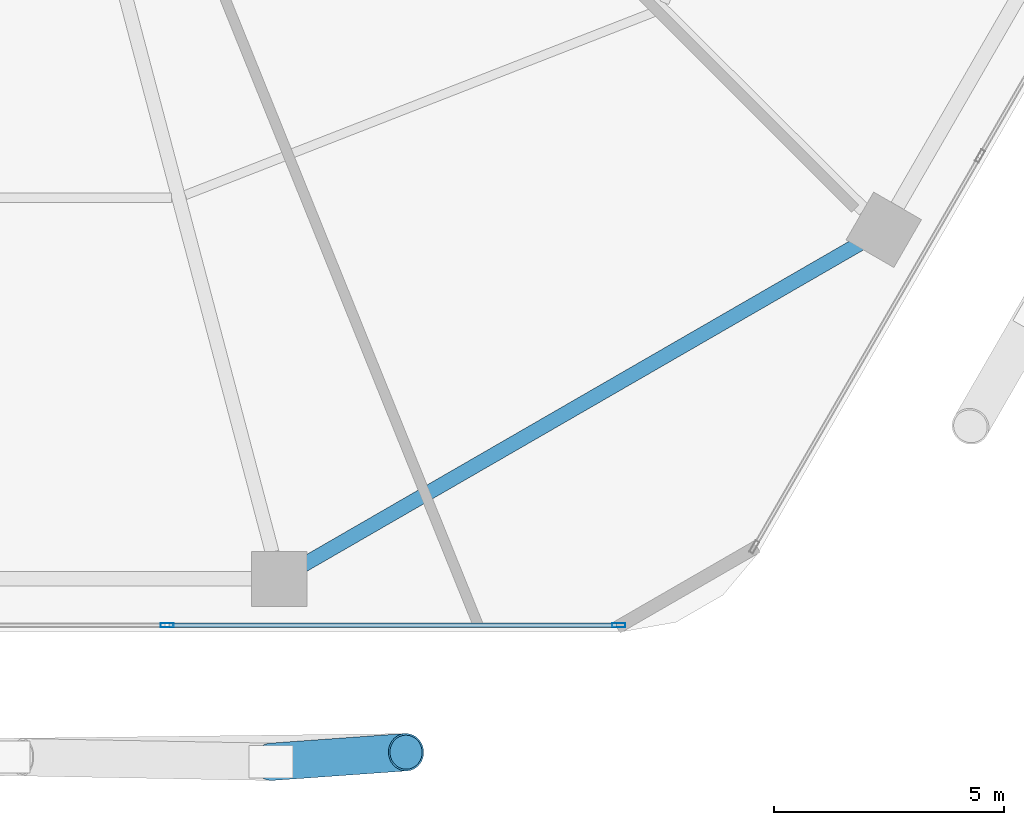
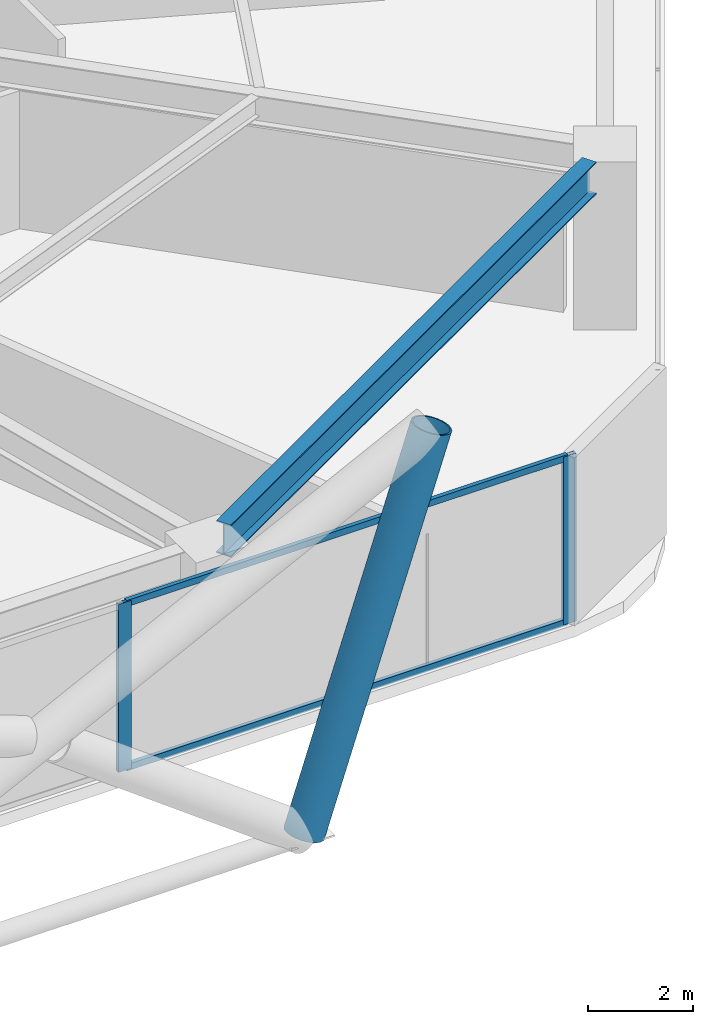
# One storey, part 7 of 28: 5 members, 1 beam, 1 element without a shape of its own.
"""IFC4 building model written with IfcOpenShell, lengths in metres."""

from ifc_helpers import new_model, si_unit, direction, frame, origin, origin_2d, place, context, subcontext, project, spatial, hollow_rectangle, hollow_circle, i_section, extrude, material, material_profile, profile_set, type_object, element, aggregate, save


model = new_model("IFC4")

# Units and contexts
model_context = context("Model", 3, precision=1e-05, world=origin(), true_north=direction((0.0, 1.0)))
body_context = subcontext(model_context, "Body", "Model", "MODEL_VIEW")
ifc_project = project(units=[si_unit("LENGTHUNIT", "METRE"), si_unit("AREAUNIT", "SQUARE_METRE"), si_unit("VOLUMEUNIT", "CUBIC_METRE"), si_unit("PLANEANGLEUNIT", "RADIAN"), si_unit("MASSUNIT", "GRAM", prefix="KILO")], contexts=[model_context])

# Site, building, storey
site_placement = place(None, origin())
site = spatial("IfcSite", under=ifc_project, at=site_placement, CompositionType="ELEMENT")
building_placement = place(site_placement, origin())
building = spatial("IfcBuilding", under=site, at=building_placement, Name="Zuhravey Tower", CompositionType="ELEMENT")
storey_placement = place(building_placement, frame((0.0, 0.0, 66.60009765625)))
storey = spatial("IfcBuildingStorey", under=building, at=storey_placement, Name="L16", CompositionType="ELEMENT", Elevation=66.60009765625)

# Curtain wall, members
ifc_material_1 = material(Name="Thermally broken anodised aluminium", Category="aluminium")
curtain_wall_type = type_object("IfcCurtainWallType", Name="School Low-E Unitised Curtain Wall CW1", PredefinedType="NOTDEFINED", material=ifc_material_1)
curtain_wall_placement = place(storey_placement, origin())
curtain_wall = element("IfcCurtainWall", 1, at=curtain_wall_placement, inside=storey, type_object=curtain_wall_type, Name="L16 CW1 CW-L16-F5-1", PredefinedType="NOTDEFINED")
ifc_material_2 = material(Name="Anodised aluminium", Category="aluminium")
ifc_material_profile_1 = material_profile(ifc_material_2, hollow_rectangle(XDim=0.090087890625, YDim=0.284912109375, WallThickness=0.0048828125, at=origin_2d()), Name="ALU-RHS-90x285x5")
ifc_profile_set_1 = profile_set([ifc_material_profile_1], Name="Anodised aluminium")
member_type_1 = type_object("IfcMemberType", Name="Curtain-Wall Mullion 90x180", PredefinedType="MULLION", material=ifc_profile_set_1)
member_1_placement = place(storey_placement, frame((50.75439453125, 3.04150390625, 0.0), z_axis=(0.0, 0.0, 1.0), x_axis=(0.0, -1.0, 0.0)))
member_1 = element("IfcMember", 2, at=member_1_placement, type_object=member_type_1, Name="CW1 mullion 1", PredefinedType="MULLION", context=body_context, shape_type="SweptSolid", body=[
    extrude(hollow_rectangle(XDim=0.090087890625, YDim=0.284912109375, WallThickness=0.0048828125, at=origin_2d()), origin(), (0.0, 0.0, 1.0), 3.919921875),
])
member_2_placement = place(storey_placement, frame((40.93310546875, 3.04150390625, 0.0), z_axis=(0.0, 0.0, 1.0), x_axis=(0.0, -1.0, 0.0)))
member_2 = element("IfcMember", 3, at=member_2_placement, type_object=member_type_1, Name="CW1 mullion 2", PredefinedType="MULLION", context=body_context, shape_type="SweptSolid", body=[
    extrude(hollow_rectangle(XDim=0.090087890625, YDim=0.284912109375, WallThickness=0.0048828125, at=origin_2d()), origin(), (0.0, 0.0, 1.0), 3.919921875),
])
ifc_material_profile_2 = material_profile(ifc_material_2, hollow_rectangle(XDim=0.090087890625, YDim=0.14990234375, WallThickness=0.0048828125, at=origin_2d()), Name="ALU-RHS-90x150x5")
ifc_profile_set_2 = profile_set([ifc_material_profile_2], Name="Anodised aluminium")
member_type_2 = type_object("IfcMemberType", Name="Curtain-Wall Transom 90x150", PredefinedType="USERDEFINED", material=ifc_profile_set_2)
member_3_placement = place(storey_placement, frame((50.70947265625, 3.04150390625, 0.044921875), z_axis=(-1.0, 0.0, 0.0), x_axis=(0.0, -1.0, 0.0)))
member_3 = element("IfcMember", 4, at=member_3_placement, type_object=member_type_2, Name="CW1 transom 1.1", ObjectType="TRANSOM", PredefinedType="USERDEFINED", context=body_context, shape_type="SweptSolid", body=[
    extrude(hollow_rectangle(XDim=0.090087890625, YDim=0.14990234375, WallThickness=0.0048828125, at=origin_2d()), origin(), (0.0, 0.0, 1.0), 9.731201171875),
])
member_4_placement = place(storey_placement, frame((50.70947265625, 3.04150390625, 3.875), z_axis=(-1.0, 0.0, 0.0), x_axis=(0.0, -1.0, 0.0)))
member_4 = element("IfcMember", 5, at=member_4_placement, type_object=member_type_2, Name="CW1 transom 1.2", ObjectType="TRANSOM", PredefinedType="USERDEFINED", context=body_context, shape_type="SweptSolid", body=[
    extrude(hollow_rectangle(XDim=0.090087890625, YDim=0.14990234375, WallThickness=0.0048828125, at=origin_2d()), origin(), (0.0, 0.0, 1.0), 9.731201171875),
])
aggregate(curtain_wall, [member_1, member_2, member_3, member_4])

# Member
ifc_material_3 = material(Name="Steel SM460", Category="steel")
ifc_material_profile_3 = material_profile(ifc_material_3, hollow_circle(Radius=0.406494140625, WallThickness=0.035888671875, at=origin_2d()), Name="CHS-812.8x36")
ifc_profile_set_3 = profile_set([ifc_material_profile_3], Name="Steel SM460")
member_type_3 = type_object("IfcMemberType", Name="Exoskeleton Zone 1 Diagrid CHS813x36", PredefinedType="BRACE", material=ifc_profile_set_3)
member_5_placement = place(storey_placement, frame((43.20166015625, 0.072021484375, -0.47216796875), z_axis=(0.330550666063, 0.02359697858, 0.943493211299), x_axis=(-0.071205668958, 0.997461654756, 0.0)))
element("IfcMember", 6, at=member_5_placement, inside=storey, type_object=member_type_3, Name="L16 Face 5 Diagrid Brace 4", PredefinedType="BRACE", context=body_context, shape_type="SweptSolid", body=[
    extrude(hollow_circle(Radius=0.406494140625, WallThickness=0.035888671875, at=origin_2d()), origin(), (0.0, 0.0, 1.0), 8.8564453125),
])

# Beam
ifc_material_4 = material(Name="Steel SM355", Category="steel")
ifc_material_profile_4 = material_profile(ifc_material_4, i_section(OverallWidth=0.320068359375, OverallDepth=0.75, WebThickness=0.013916015625, FlangeThickness=0.02490234375, at=origin_2d()), Name="H-750x320x14x25")
ifc_profile_set_4 = profile_set([ifc_material_profile_4], Name="Steel SM355")
beam_type = type_object("IfcBeamType", Name="Perimeter Ring Beam H750x320", PredefinedType="BEAM", material=ifc_profile_set_4)
beam_placement = place(storey_placement, frame((43.89208984375, 4.35302734375, 3.544921875), z_axis=(0.866029969761, 0.499992091414, 0.0), x_axis=(-0.499992091414, 0.866029969761, 0.0)))
element("IfcBeam", 7, at=beam_placement, inside=storey, type_object=beam_type, Name="L16 PB1 BM-L16-PB-10", PredefinedType="BEAM", context=body_context, shape_type="SweptSolid", body=[
    extrude(i_section(OverallWidth=0.320068359375, OverallDepth=0.75, WebThickness=0.013916015625, FlangeThickness=0.02490234375, at=origin_2d()), origin(), (0.0, 0.0, 1.0), 13.977294921875),
])

save(model, "model.ifc")
